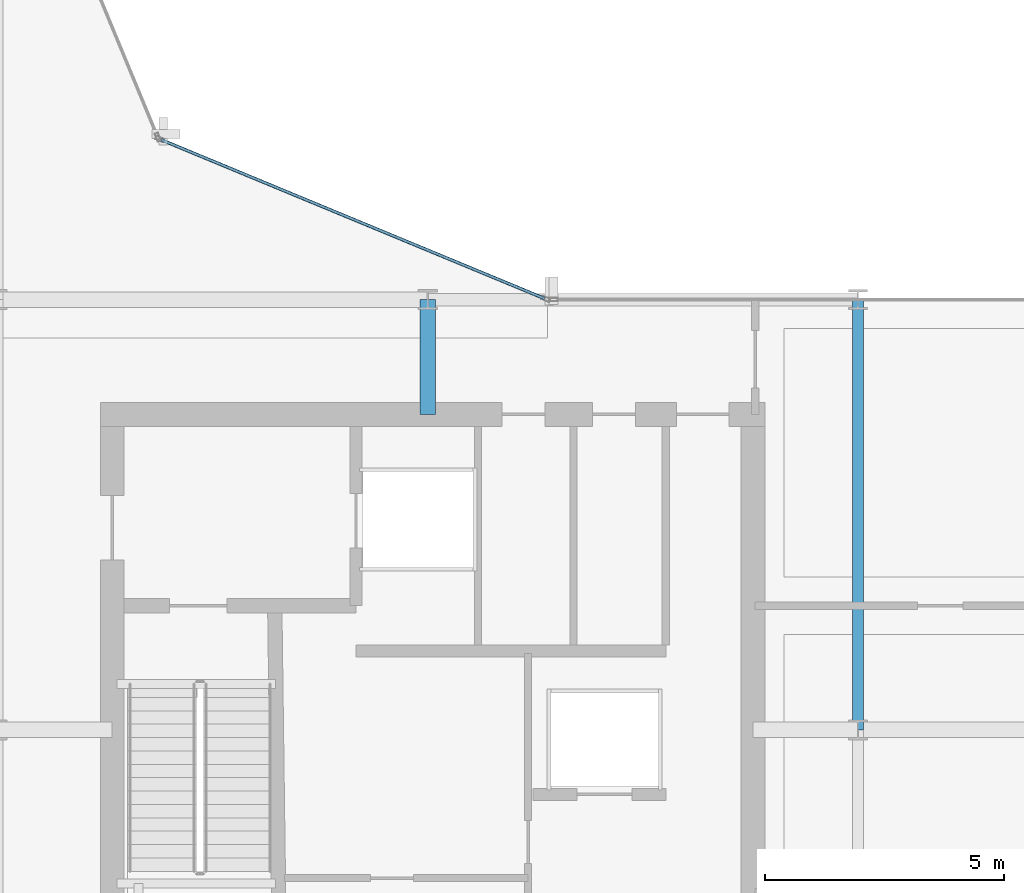
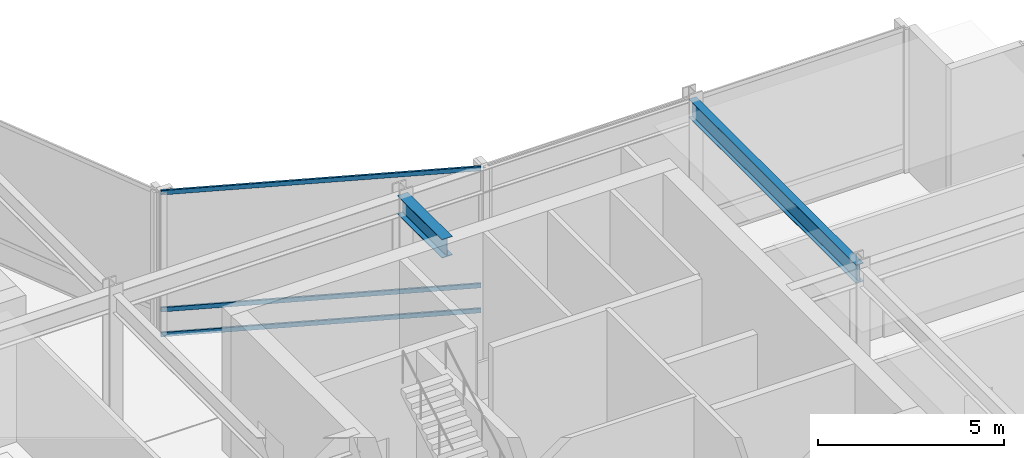
# One storey, part 13 of 29: 3 members, 2 beams, 1 element without a shape of its own.
"""IFC4 building model written with IfcOpenShell, lengths in metres."""

from ifc_helpers import new_model, si_unit, direction, frame, origin, origin_2d, place, context, subcontext, project, spatial, hollow_rectangle, i_section, extrude, material, layer, layer_set, material_profile, profile_set, type_object, element, aggregate, save


model = new_model("IFC4")

# Units and contexts
model_context = context("Model", 3, precision=1e-05, world=origin(), true_north=direction((0.0, 1.0)))
body_context = subcontext(model_context, "Body", "Model", "MODEL_VIEW")
ifc_project = project(units=[si_unit("LENGTHUNIT", "METRE"), si_unit("AREAUNIT", "SQUARE_METRE"), si_unit("VOLUMEUNIT", "CUBIC_METRE"), si_unit("PLANEANGLEUNIT", "RADIAN"), si_unit("MASSUNIT", "GRAM", prefix="KILO")], contexts=[model_context])

# Site, building, storey
site_placement = place(None, origin())
site = spatial("IfcSite", under=ifc_project, at=site_placement, CompositionType="ELEMENT")
building_placement = place(site_placement, origin())
building = spatial("IfcBuilding", under=site, at=building_placement, Name="Solvaryn Broadcast Tower", CompositionType="ELEMENT")
storey_placement = place(building_placement, frame((0.0, 0.0, 169.199951171875)))
storey = spatial("IfcBuildingStorey", under=building, at=storey_placement, Name="L42", CompositionType="ELEMENT", Elevation=169.199951171875)

# Beams
ifc_material_1 = material(Name="Steel ASTM A992 Grade 50", Category="steel")
ifc_material_profile_1 = material_profile(ifc_material_1, i_section(OverallWidth=0.323974609375, OverallDepth=0.611083984375, WebThickness=0.0126953125, FlangeThickness=0.01904296875, FilletRadius=0.014892578125, at=origin_2d()))
ifc_profile_set_1 = profile_set([ifc_material_profile_1], Name="Steel ASTM A992 Grade 50")
beam_type_1 = type_object("IfcBeamType", Name="BM-B1-W24X104", PredefinedType="BEAM", material=ifc_profile_set_1)
beam_1_placement = place(storey_placement, frame((36.0, 24.60009765625, 4.41455078125), z_axis=(0.0, 1.0, 0.0), x_axis=(-1.0, 0.0, 0.0)))
element("IfcBeam", 1, at=beam_1_placement, inside=storey, type_object=beam_type_1, Name="L42 Core Tie Beam CTE2", PredefinedType="BEAM", context=body_context, shape_type="SweptSolid", body=[
    extrude(i_section(OverallWidth=0.323974609375, OverallDepth=0.611083984375, WebThickness=0.0126953125, FlangeThickness=0.01904296875, FilletRadius=0.014892578125, at=origin_2d()), origin(), (0.0, 0.0, 1.0), 2.39990234375),
])
ifc_material_2 = material(Name="Steel ASTM A992 Grade 50", Category="steel")
ifc_material_profile_2 = material_profile(ifc_material_2, i_section(OverallWidth=0.22802734375, OverallDepth=0.60791015625, WebThickness=0.01123046875, FlangeThickness=0.017333984375, FilletRadius=0.014892578125, at=origin_2d()))
ifc_profile_set_2 = profile_set([ifc_material_profile_2], Name="Steel ASTM A992 Grade 50")
beam_type_2 = type_object("IfcBeamType", Name="BM-B2-W24X76", PredefinedType="BEAM", material=ifc_profile_set_2)
beam_2_placement = place(storey_placement, frame((45.0, 18.0, 4.416015625), z_axis=(0.0, 1.0, 0.0), x_axis=(-1.0, 0.0, 0.0)))
element("IfcBeam", 2, at=beam_2_placement, inside=storey, type_object=beam_type_2, Name="L42 Primary Beam Y (18-27 @ X=45)", PredefinedType="BEAM", context=body_context, shape_type="SweptSolid", body=[
    extrude(i_section(OverallWidth=0.22802734375, OverallDepth=0.60791015625, WebThickness=0.01123046875, FlangeThickness=0.017333984375, FilletRadius=0.014892578125, at=origin_2d()), origin(), (0.0, 0.0, 1.0), 9.0),
])

# Curtain wall, members
ifc_material_3 = material(Name="Aluminium and Terracotta Unitised Curtain Wall", Category="masonry")
ifc_layer = layer(ifc_material_3, 0.25)
ifc_layer_set = layer_set([ifc_layer], Name="CW-SYS4-SKYGARDEN")
curtain_wall_type = type_object("IfcCurtainWallType", Name="CW-SYS4-SKYGARDEN", PredefinedType="NOTDEFINED", material=ifc_layer_set)
curtain_wall_placement = place(storey_placement, origin())
curtain_wall = element("IfcCurtainWall", 3, at=curtain_wall_placement, inside=storey, type_object=curtain_wall_type, Name="L42 Curtain Wall CN1", PredefinedType="NOTDEFINED")
ifc_material_4 = material(Name="Anodised Aluminium 6063-T6", Category="aluminium")
ifc_material_profile_3 = material_profile(ifc_material_4, hollow_rectangle(XDim=0.06494140625, YDim=0.14990234375, WallThickness=0.00390625, InnerFilletRadius=0.00390625, OuterFilletRadius=0.008056640625, at=origin_2d()))
ifc_profile_set_3 = profile_set([ifc_material_profile_3], Name="Anodised Aluminium 6063-T6")
member_type = type_object("IfcMemberType", Name="CW-TRN-150", PredefinedType="USERDEFINED", material=ifc_profile_set_3)
member_1_placement = place(storey_placement, frame((38.444580078125, 27.02294921875, 0.030029296875), z_axis=(-0.923899282177, 0.382635748975, 0.0), x_axis=(-0.382635748975, -0.923899282177, 0.0)))
member_1 = element("IfcMember", 4, at=member_1_placement, type_object=member_type, Name="CWS4 transom 1.1", ObjectType="TRANSOM", PredefinedType="USERDEFINED", context=body_context, shape_type="SweptSolid", body=[
    extrude(hollow_rectangle(XDim=0.06494140625, YDim=0.14990234375, WallThickness=0.00390625, InnerFilletRadius=0.00390625, OuterFilletRadius=0.008056640625, at=origin_2d()), origin(), (0.0, 0.0, 1.0), 8.681884765625),
])
member_2_placement = place(storey_placement, frame((38.444580078125, 27.02294921875, 0.85009765625), z_axis=(-0.923899282177, 0.382635748975, 0.0), x_axis=(-0.382635748975, -0.923899282177, 0.0)))
member_2 = element("IfcMember", 5, at=member_2_placement, type_object=member_type, Name="CWS4 transom 1.2", ObjectType="TRANSOM", PredefinedType="USERDEFINED", context=body_context, shape_type="SweptSolid", body=[
    extrude(hollow_rectangle(XDim=0.06494140625, YDim=0.14990234375, WallThickness=0.00390625, InnerFilletRadius=0.00390625, OuterFilletRadius=0.008056640625, at=origin_2d()), origin(), (0.0, 0.0, 1.0), 8.681884765625),
])
member_3_placement = place(storey_placement, frame((38.444580078125, 27.02294921875, 4.68994140625), z_axis=(-0.923899282177, 0.382635748975, 0.0), x_axis=(-0.382635748975, -0.923899282177, 0.0)))
member_3 = element("IfcMember", 6, at=member_3_placement, type_object=member_type, Name="CWS4 transom 1.3", ObjectType="TRANSOM", PredefinedType="USERDEFINED", context=body_context, shape_type="SweptSolid", body=[
    extrude(hollow_rectangle(XDim=0.06494140625, YDim=0.14990234375, WallThickness=0.00390625, InnerFilletRadius=0.00390625, OuterFilletRadius=0.008056640625, at=origin_2d()), origin(), (0.0, 0.0, 1.0), 8.681884765625),
])
aggregate(curtain_wall, [member_1, member_2, member_3])

save(model, "model.ifc")
